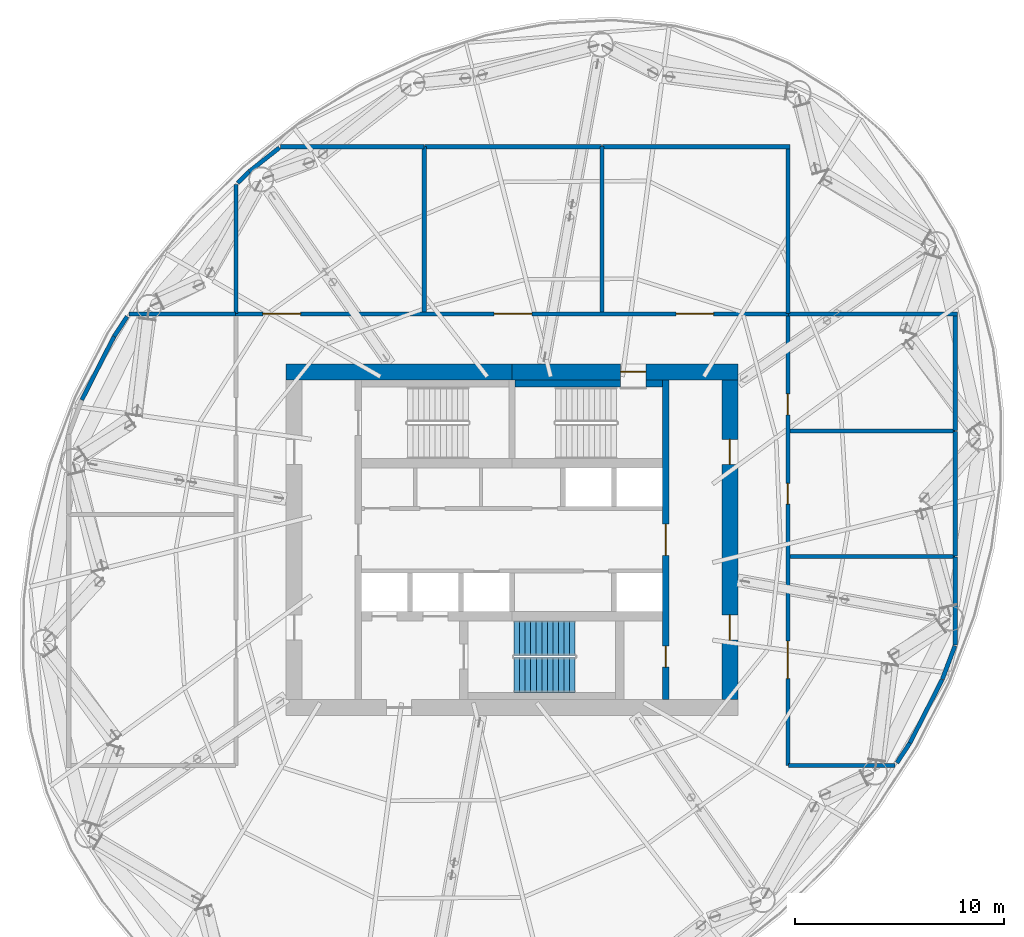
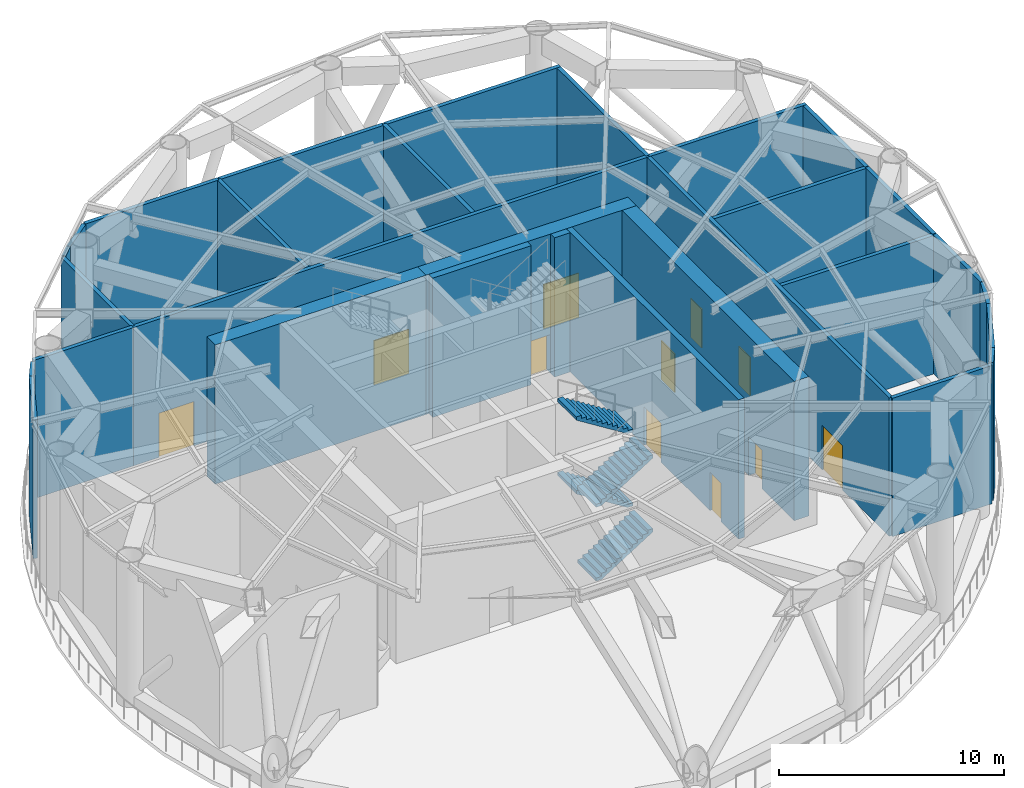
# One storey, part 6 of 15: 30 walls, 11 doors, 4 stair flights, 11 openings, 1 element without a shape of its own.
"""IFC4 building model written with IfcOpenShell, lengths in metres."""

from ifc_helpers import new_model, si_unit, direction, frame, frame_2d, origin, place, context, subcontext, project, spatial, polyline, rectangle, outline, extrude, material, layer, layer_set, type_object, element, fill, aggregate, save


model = new_model("IFC4")

# Units and contexts
model_context = context("Model", 3, precision=1e-05, world=origin(), true_north=direction((0.0, 1.0)))
body_context = subcontext(model_context, "Body", "Model", "MODEL_VIEW")
ifc_project = project(units=[si_unit("LENGTHUNIT", "METRE"), si_unit("AREAUNIT", "SQUARE_METRE"), si_unit("VOLUMEUNIT", "CUBIC_METRE"), si_unit("PLANEANGLEUNIT", "RADIAN"), si_unit("MASSUNIT", "GRAM", prefix="KILO")], contexts=[model_context])

# Site, building, storey
site_placement = place(None, origin())
site = spatial("IfcSite", under=ifc_project, at=site_placement, CompositionType="ELEMENT")
building_placement = place(site_placement, origin())
building = spatial("IfcBuilding", under=site, at=building_placement, Name="Vermilion Reach Broadcast Tower", CompositionType="ELEMENT")
storey_placement = place(building_placement, frame((0.0, 0.0, 246.10009765625)))
storey = spatial("IfcBuildingStorey", under=building, at=storey_placement, Name="L61", CompositionType="ELEMENT", Elevation=246.10009765625)

# Wall, openings, doors
ifc_material_1 = material(Name="Concrete C60", Category="concrete")
ifc_layer_1 = layer(ifc_material_1, 0.300048828125)
ifc_layer_set_1 = layer_set([ifc_layer_1], Name="Core inner wall 300 mm Concrete C60")
wall_type_1 = type_object("IfcWallType", Name="Core inner wall 300 mm Concrete C60", PredefinedType="SHEAR", material=ifc_layer_set_1)
wall_1_placement = place(storey_placement, frame((1.35009765625, -7.64990234375, 0.0), z_axis=(0.0, 0.0, 1.0), x_axis=(0.0, 1.0, 0.0)))
wall_1 = element("IfcWall", 1, at=wall_1_placement, inside=storey, type_object=wall_type_1, Name="L61 core wall ewE", PredefinedType="SHEAR", context=body_context, shape_type="SweptSolid", body=[
    extrude(rectangle(XDim=15.2998046875, YDim=0.300048828125, at=frame_2d((7.64990234375, 0.0))), origin(), (0.0, 0.0, 1.0), 7.5498046875),
])
opening_1_placement = place(wall_1_placement, frame((1.56005859375, 0.0, 0.0)))
opening_1 = element("IfcOpeningElement", 2, at=opening_1_placement, cuts=wall_1, Name="Opening D05", PredefinedType="OPENING", context=body_context, shape_type="SweptSolid", body=[
    extrude(rectangle(XDim=1.0, YDim=2.10009765625, at=frame_2d((0.5, 1.050048828125))), frame((0.0, 0.159912109375, 0.0), z_axis=(0.0, -1.0, 0.0), x_axis=(1.0, 0.0, 0.0)), (0.0, 0.0, 1.0), 0.320068359375),
])
opening_2_placement = place(wall_1_placement, frame((6.89990234375, 0.0, 0.0)))
opening_2 = element("IfcOpeningElement", 3, at=opening_2_placement, cuts=wall_1, Name="Opening D04", PredefinedType="OPENING", context=body_context, shape_type="SweptSolid", body=[
    extrude(rectangle(XDim=1.5, YDim=2.10009765625, at=frame_2d((0.75, 1.050048828125))), frame((0.0, 0.159912109375, 0.0), z_axis=(0.0, -1.0, 0.0), x_axis=(1.0, 0.0, 0.0)), (0.0, 0.0, 1.0), 0.320068359375),
])
ifc_material_2 = material(Name="Painted steel fire door", Category="steel")
door_type_1 = type_object("IfcDoorType", Name="Lift lobby door 1500 x 2100", OperationType="DOUBLE_DOOR_SINGLE_SWING", PredefinedType="NOTDEFINED", material=ifc_material_2)
door_1_placement = place(opening_2_placement, origin())
door_1 = element("IfcDoor", 4, at=door_1_placement, inside=storey, type_object=door_type_1, Name="L61 band door BE", OperationType="DOUBLE_DOOR_SINGLE_SWING", OverallHeight=2.10009765625, OverallWidth=1.5, PredefinedType="NOTDEFINED", context=body_context, shape_type="SweptSolid", body=[
    extrude(rectangle(XDim=1.5, YDim=2.10009765625, at=frame_2d((0.75, 1.050048828125))), frame((0.0, 0.02490234375, 0.0), z_axis=(0.0, -1.0, 0.0), x_axis=(1.0, 0.0, 0.0)), (0.0, 0.0, 1.0), 0.050048828125),
])
fill(opening_2, door_1)
ifc_material_3 = material(Name="Timber door", Category="wood")
door_type_2 = type_object("IfcDoorType", Name="Room door 1000 x 2100", OperationType="NOTDEFINED", PredefinedType="NOTDEFINED", material=ifc_material_3)
door_2_placement = place(opening_1_placement, origin())
door_2 = element("IfcDoor", 5, at=door_2_placement, inside=storey, type_object=door_type_2, Name="L61 door SER", OperationType="SINGLE_SWING_LEFT", OverallHeight=2.10009765625, OverallWidth=1.0, PredefinedType="NOTDEFINED", context=body_context, shape_type="SweptSolid", body=[
    extrude(rectangle(XDim=1.0, YDim=2.10009765625, at=frame_2d((0.5, 1.050048828125))), frame((0.0, 0.02490234375, 0.0), z_axis=(0.0, -1.0, 0.0), x_axis=(1.0, 0.0, 0.0)), (0.0, 0.0, 1.0), 0.050048828125),
])
fill(opening_1, door_2)

# Wall, opening, door
ifc_material_4 = material(Name="Concrete C60", Category="concrete")
ifc_layer_2 = layer(ifc_material_4, 0.75)
ifc_layer_set_2 = layer_set([ifc_layer_2], Name="Core outer wall 750 mm Concrete C60")
wall_type_2 = type_object("IfcWallType", Name="Core outer wall 750 mm Concrete C60", PredefinedType="SHEAR", material=ifc_layer_set_2)
wall_2_placement = place(storey_placement, frame((4.800048828125, 8.02490234375, 0.0), z_axis=(0.0, 0.0, 1.0), x_axis=(-1.0, 0.0, 0.0)))
wall_2 = element("IfcWall", 6, at=wall_2_placement, inside=storey, type_object=wall_type_2, Name="L61 core wall onE", PredefinedType="SHEAR", context=body_context, shape_type="SweptSolid", body=[
    extrude(rectangle(XDim=10.800048828125, YDim=0.75, at=frame_2d((5.39990234375, 0.0))), origin(), (0.0, 0.0, 1.0), 7.5498046875),
])
opening_3_placement = place(wall_2_placement, frame((4.39990234375, 0.0, 0.0)))
opening_3 = element("IfcOpeningElement", 7, at=opening_3_placement, cuts=wall_2, Name="Opening D01", PredefinedType="OPENING", context=body_context, shape_type="SweptSolid", body=[
    extrude(rectangle(XDim=1.199951171875, YDim=2.10009765625, at=frame_2d((0.60009765625, 1.050048828125))), frame((0.0, 0.385009765625, 0.0), z_axis=(0.0, -1.0, 0.0), x_axis=(1.0, 0.0, 0.0)), (0.0, 0.0, 1.0), 0.77001953125),
])
ifc_material_5 = material(Name="Painted steel fire door", Category="steel")
door_type_3 = type_object("IfcDoorType", Name="Stair door 1200 x 2100", OperationType="DOUBLE_DOOR_SINGLE_SWING", PredefinedType="NOTDEFINED", material=ifc_material_5)
door_3_placement = place(opening_3_placement, origin())
door_3 = element("IfcDoor", 8, at=door_3_placement, inside=storey, type_object=door_type_3, Name="L61 stair door ST2", OperationType="DOUBLE_DOOR_SINGLE_SWING", OverallHeight=2.10009765625, OverallWidth=1.199951171875, PredefinedType="NOTDEFINED", context=body_context, shape_type="SweptSolid", body=[
    extrude(rectangle(XDim=1.199951171875, YDim=2.10009765625, at=frame_2d((0.60009765625, 1.050048828125))), frame((0.0, 0.02490234375, 0.0), z_axis=(0.0, -1.0, 0.0), x_axis=(1.0, 0.0, 0.0)), (0.0, 0.0, 1.0), 0.050048828125),
])
fill(opening_3, door_3)

# Wall
wall_3_placement = place(storey_placement, frame((-6.0, 8.02490234375, 0.0), z_axis=(0.0, 0.0, 1.0), x_axis=(-1.0, 0.0, 0.0)))
element("IfcWall", 9, at=wall_3_placement, inside=storey, type_object=wall_type_2, Name="L61 core wall onW", PredefinedType="SHEAR", context=body_context, shape_type="SweptSolid", body=[
    extrude(rectangle(XDim=10.800048828125, YDim=0.75, at=frame_2d((5.39990234375, 0.0))), origin(), (0.0, 0.0, 1.0), 7.5498046875),
])

# Wall, openings, doors
wall_4_placement = place(storey_placement, frame((4.425048828125, -7.64990234375, 0.0), z_axis=(0.0, 0.0, 1.0), x_axis=(0.0, 1.0, 0.0)))
wall_4 = element("IfcWall", 10, at=wall_4_placement, inside=storey, type_object=wall_type_2, Name="L61 core wall oe", PredefinedType="SHEAR", context=body_context, shape_type="SweptSolid", body=[
    extrude(rectangle(XDim=15.2998046875, YDim=0.75, at=frame_2d((7.64990234375, 0.0))), origin(), (0.0, 0.0, 1.0), 7.5498046875),
])
opening_4_placement = place(wall_4_placement, frame((2.85009765625, 0.0, 0.0)))
opening_4 = element("IfcOpeningElement", 11, at=opening_4_placement, cuts=wall_4, Name="Opening D03", PredefinedType="OPENING", context=body_context, shape_type="SweptSolid", body=[
    extrude(rectangle(XDim=1.199951171875, YDim=2.10009765625, at=frame_2d((0.60009765625, 1.050048828125))), frame((0.0, 0.385009765625, 0.0), z_axis=(0.0, -1.0, 0.0), x_axis=(1.0, 0.0, 0.0)), (0.0, 0.0, 1.0), 0.77001953125),
])
opening_5_placement = place(wall_4_placement, frame((11.25, 0.0, 0.0)))
opening_5 = element("IfcOpeningElement", 12, at=opening_5_placement, cuts=wall_4, Name="Opening D03", PredefinedType="OPENING", context=body_context, shape_type="SweptSolid", body=[
    extrude(rectangle(XDim=1.199951171875, YDim=2.10009765625, at=frame_2d((0.60009765625, 1.050048828125))), frame((0.0, 0.385009765625, 0.0), z_axis=(0.0, -1.0, 0.0), x_axis=(1.0, 0.0, 0.0)), (0.0, 0.0, 1.0), 0.77001953125),
])
ifc_material_6 = material(Name="Painted steel fire door", Category="steel")
door_type_4 = type_object("IfcDoorType", Name="Core lobby door 1200 x 2100", OperationType="DOUBLE_DOOR_SINGLE_SWING", PredefinedType="NOTDEFINED", material=ifc_material_6)
door_4_placement = place(opening_4_placement, origin())
door_4 = element("IfcDoor", 13, at=door_4_placement, inside=storey, type_object=door_type_4, Name="L61 slot door E0", OperationType="DOUBLE_DOOR_SINGLE_SWING", OverallHeight=2.10009765625, OverallWidth=1.199951171875, PredefinedType="NOTDEFINED", context=body_context, shape_type="SweptSolid", body=[
    extrude(rectangle(XDim=1.199951171875, YDim=2.10009765625, at=frame_2d((0.60009765625, 1.050048828125))), frame((0.0, 0.02490234375, 0.0), z_axis=(0.0, -1.0, 0.0), x_axis=(1.0, 0.0, 0.0)), (0.0, 0.0, 1.0), 0.050048828125),
])
fill(opening_4, door_4)
door_5_placement = place(opening_5_placement, origin())
door_5 = element("IfcDoor", 14, at=door_5_placement, inside=storey, type_object=door_type_4, Name="L61 slot door E1", OperationType="DOUBLE_DOOR_SINGLE_SWING", OverallHeight=2.10009765625, OverallWidth=1.199951171875, PredefinedType="NOTDEFINED", context=body_context, shape_type="SweptSolid", body=[
    extrude(rectangle(XDim=1.199951171875, YDim=2.10009765625, at=frame_2d((0.60009765625, 1.050048828125))), frame((0.0, 0.02490234375, 0.0), z_axis=(0.0, -1.0, 0.0), x_axis=(1.0, 0.0, 0.0)), (0.0, 0.0, 1.0), 0.050048828125),
])
fill(opening_5, door_5)

# Walls
ifc_material_7 = material(Name="Concrete C60", Category="concrete")
ifc_layer_3 = layer(ifc_material_7, 0.35009765625)
ifc_layer_set_3 = layer_set([ifc_layer_3], Name="Core stair wall 350 mm Concrete C60")
wall_type_3 = type_object("IfcWallType", Name="Core stair wall 350 mm Concrete C60", PredefinedType="SHEAR", material=ifc_layer_set_3)
wall_5_placement = place(storey_placement, frame((-5.85009765625, 7.47509765625, 0.0), z_axis=(0.0, 0.0, 1.0), x_axis=(1.0, 0.0, 0.0)))
element("IfcWall", 15, at=wall_5_placement, inside=storey, type_object=wall_type_3, Name="L61 core wall l2a", PredefinedType="SHEAR", context=body_context, shape_type="SweptSolid", body=[
    extrude(rectangle(XDim=5.050048828125, YDim=0.35009765625, at=frame_2d((2.52490234375, 0.0))), origin(), (0.0, 0.0, 1.0), 7.5498046875),
])
wall_6_placement = place(storey_placement, frame((0.39990234375, 7.47509765625, 0.0), z_axis=(0.0, 0.0, 1.0), x_axis=(1.0, 0.0, 0.0)))
element("IfcWall", 16, at=wall_6_placement, inside=storey, type_object=wall_type_3, Name="L61 core wall l2b", PredefinedType="SHEAR", context=body_context, shape_type="SweptSolid", body=[
    extrude(rectangle(XDim=0.800048828125, YDim=0.35009765625, at=frame_2d((0.39990234375, 0.0))), origin(), (0.0, 0.0, 1.0), 7.5498046875),
])

# Wall, openings, doors
ifc_material_8 = material(Name="Gypsum board shaft wall")
ifc_layer_4 = layer(ifc_material_8, 0.199951171875)
ifc_layer_set_4 = layer_set([ifc_layer_4], Name="Plant room wall 200")
wall_type_4 = type_object("IfcWallType", Name="Plant room wall 200", PredefinedType="PARTITIONING", material=ifc_layer_set_4)
wall_7_placement = place(storey_placement, frame((7.199951171875, -10.800048828125, 0.0), z_axis=(0.0, 0.0, 1.0), x_axis=(0.0, 1.0, 0.0)))
wall_7 = element("IfcWall", 17, at=wall_7_placement, inside=storey, type_object=wall_type_4, Name="sp.wall.L61.000", PredefinedType="PARTITIONING", context=body_context, shape_type="SweptSolid", body=[
    extrude(rectangle(XDim=21.5, YDim=0.199951171875, at=frame_2d((10.75, 0.0))), origin(), (0.0, 0.0, 1.0), 7.5),
])
opening_6_placement = place(wall_7_placement, frame((4.150146484375, 0.0, 0.0)))
opening_6 = element("IfcOpeningElement", 18, at=opening_6_placement, cuts=wall_7, Name="Opening D53", PredefinedType="OPENING", context=body_context, shape_type="SweptSolid", body=[
    extrude(rectangle(XDim=1.800048828125, YDim=2.39990234375, at=frame_2d((0.89990234375, 1.199951171875))), frame((0.0, 0.10986328125, 0.0), z_axis=(0.0, -1.0, 0.0), x_axis=(1.0, 0.0, 0.0)), (0.0, 0.0, 1.0), 0.219970703125),
])
opening_7_placement = place(wall_7_placement, frame((12.5, 0.0, 0.0)))
opening_7 = element("IfcOpeningElement", 19, at=opening_7_placement, cuts=wall_7, Name="Opening D54", PredefinedType="OPENING", context=body_context, shape_type="SweptSolid", body=[
    extrude(rectangle(XDim=1.0, YDim=2.10009765625, at=frame_2d((0.5, 1.050048828125))), frame((0.0, 0.10986328125, 0.0), z_axis=(0.0, -1.0, 0.0), x_axis=(1.0, 0.0, 0.0)), (0.0, 0.0, 1.0), 0.219970703125),
])
opening_8_placement = place(wall_7_placement, frame((16.7763671875, 0.0, 0.0)))
opening_8 = element("IfcOpeningElement", 20, at=opening_8_placement, cuts=wall_7, Name="Opening D54", PredefinedType="OPENING", context=body_context, shape_type="SweptSolid", body=[
    extrude(rectangle(XDim=1.0, YDim=2.10009765625, at=frame_2d((0.5, 1.050048828125))), frame((0.0, 0.10986328125, 0.0), z_axis=(0.0, -1.0, 0.0), x_axis=(1.0, 0.0, 0.0)), (0.0, 0.0, 1.0), 0.219970703125),
])
ifc_material_9 = material(Name="Timber and steel door set", Category="steel")
door_type_5 = type_object("IfcDoorType", Name="Fire door 1000x2100", OperationType="NOTDEFINED", PredefinedType="DOOR", material=ifc_material_9)
door_6_placement = place(opening_7_placement, origin())
door_6 = element("IfcDoor", 21, at=door_6_placement, inside=storey, type_object=door_type_5, Name="sp.door.L61.001", OperationType="SINGLE_SWING_RIGHT", OverallHeight=2.10009765625, OverallWidth=1.0, PredefinedType="DOOR", context=body_context, shape_type="SweptSolid", body=[
    extrude(rectangle(XDim=1.0, YDim=2.10009765625, at=frame_2d((0.5, 1.050048828125))), frame((0.0, 0.02490234375, 0.0), z_axis=(0.0, -1.0, 0.0), x_axis=(1.0, 0.0, 0.0)), (0.0, 0.0, 1.0), 0.050048828125),
])
fill(opening_7, door_6)
door_7_placement = place(opening_8_placement, origin())
door_7 = element("IfcDoor", 22, at=door_7_placement, inside=storey, type_object=door_type_5, Name="sp.door.L61.002", OperationType="SINGLE_SWING_LEFT", OverallHeight=2.10009765625, OverallWidth=1.0, PredefinedType="DOOR", context=body_context, shape_type="SweptSolid", body=[
    extrude(rectangle(XDim=1.0, YDim=2.10009765625, at=frame_2d((0.5, 1.050048828125))), frame((0.0, 0.02490234375, 0.0), z_axis=(0.0, -1.0, 0.0), x_axis=(1.0, 0.0, 0.0)), (0.0, 0.0, 1.0), 0.050048828125),
])
fill(opening_8, door_7)
ifc_material_10 = material(Name="Timber and steel door set", Category="steel")
door_type_6 = type_object("IfcDoorType", Name="Plant double door 1800x2400", OperationType="NOTDEFINED", PredefinedType="DOOR", material=ifc_material_10)
door_8_placement = place(opening_6_placement, origin())
door_8 = element("IfcDoor", 23, at=door_8_placement, inside=storey, type_object=door_type_6, Name="sp.door.L61.000", OperationType="DOUBLE_DOOR_SINGLE_SWING", OverallHeight=2.39990234375, OverallWidth=1.800048828125, PredefinedType="DOOR", context=body_context, shape_type="SweptSolid", body=[
    extrude(rectangle(XDim=1.800048828125, YDim=2.39990234375, at=frame_2d((0.89990234375, 1.199951171875))), frame((0.0, 0.02490234375, 0.0), z_axis=(0.0, -1.0, 0.0), x_axis=(1.0, 0.0, 0.0)), (0.0, 0.0, 1.0), 0.050048828125),
])
fill(opening_6, door_8)

# Walls
wall_8_placement = place(storey_placement, frame((7.199951171875, 10.820068359375, 0.0), z_axis=(0.0, 0.0, 1.0), x_axis=(0.0, 1.0, 0.0)))
element("IfcWall", 24, at=wall_8_placement, inside=storey, type_object=wall_type_4, Name="sp.wall.L61.001", PredefinedType="PARTITIONING", context=body_context, shape_type="SweptSolid", body=[
    extrude(rectangle(XDim=7.8798828125, YDim=0.199951171875, at=frame_2d((3.93994140625, 0.0))), origin(), (0.0, 0.0, 1.0), 7.5),
])
wall_9_placement = place(storey_placement, frame((-19.199951171875, 10.820068359375, 0.0), z_axis=(0.0, 0.0, 1.0), x_axis=(0.0, 1.0, 0.0)))
element("IfcWall", 25, at=wall_9_placement, inside=storey, type_object=wall_type_4, Name="sp.wall.L61.003", PredefinedType="PARTITIONING", context=body_context, shape_type="SweptSolid", body=[
    extrude(rectangle(XDim=6.173583984375, YDim=0.199951171875, at=frame_2d((3.0869140625, 0.0))), origin(), (0.0, 0.0, 1.0), 7.5),
])
wall_10_placement = place(storey_placement, frame((-24.328369140625, 10.800048828125, 0.0), z_axis=(0.0, 0.0, 1.0), x_axis=(1.0, 0.0, 0.0)))
element("IfcWall", 26, at=wall_10_placement, inside=storey, type_object=wall_type_4, Name="sp.wall.L61.004", PredefinedType="PARTITIONING", context=body_context, shape_type="SweptSolid", body=[
    extrude(rectangle(XDim=5.1083984375, YDim=0.199951171875, at=frame_2d((2.55419921875, 0.0))), origin(), (0.0, 0.0, 1.0), 7.5),
])

# Wall, openings, doors
wall_11_placement = place(storey_placement, frame((7.300048828125, 10.800048828125, 0.0), z_axis=(0.0, 0.0, 1.0), x_axis=(-1.0, 0.0, 0.0)))
wall_11 = element("IfcWall", 27, at=wall_11_placement, inside=storey, type_object=wall_type_4, Name="sp.wall.L61.005", PredefinedType="PARTITIONING", context=body_context, shape_type="SweptSolid", body=[
    extrude(rectangle(XDim=26.60009765625, YDim=0.199951171875, at=frame_2d((13.300048828125, 0.0))), origin(), (0.0, 0.0, 1.0), 7.5),
])
opening_9_placement = place(wall_11_placement, frame((23.414306640625, 0.0, 0.0)))
opening_9 = element("IfcOpeningElement", 28, at=opening_9_placement, cuts=wall_11, Name="Opening D53", PredefinedType="OPENING", context=body_context, shape_type="SweptSolid", body=[
    extrude(rectangle(XDim=1.800048828125, YDim=2.39990234375, at=frame_2d((0.89990234375, 1.199951171875))), frame((0.0, 0.10986328125, 0.0), z_axis=(0.0, -1.0, 0.0), x_axis=(1.0, 0.0, 0.0)), (0.0, 0.0, 1.0), 0.219970703125),
])
opening_10_placement = place(wall_11_placement, frame((12.35009765625, 0.0, 0.0)))
opening_10 = element("IfcOpeningElement", 29, at=opening_10_placement, cuts=wall_11, Name="Opening D53", PredefinedType="OPENING", context=body_context, shape_type="SweptSolid", body=[
    extrude(rectangle(XDim=1.800048828125, YDim=2.39990234375, at=frame_2d((0.89990234375, 1.199951171875))), frame((0.0, 0.10986328125, 0.0), z_axis=(0.0, -1.0, 0.0), x_axis=(1.0, 0.0, 0.0)), (0.0, 0.0, 1.0), 0.219970703125),
])
opening_11_placement = place(wall_11_placement, frame((3.650146484375, 0.0, 0.0)))
opening_11 = element("IfcOpeningElement", 30, at=opening_11_placement, cuts=wall_11, Name="Opening D53", PredefinedType="OPENING", context=body_context, shape_type="SweptSolid", body=[
    extrude(rectangle(XDim=1.800048828125, YDim=2.39990234375, at=frame_2d((0.89990234375, 1.199951171875))), frame((0.0, 0.10986328125, 0.0), z_axis=(0.0, -1.0, 0.0), x_axis=(1.0, 0.0, 0.0)), (0.0, 0.0, 1.0), 0.219970703125),
])
door_9_placement = place(opening_9_placement, origin())
door_9 = element("IfcDoor", 31, at=door_9_placement, inside=storey, type_object=door_type_6, Name="sp.door.L61.005", OperationType="DOUBLE_DOOR_SINGLE_SWING", OverallHeight=2.39990234375, OverallWidth=1.800048828125, PredefinedType="DOOR", context=body_context, shape_type="SweptSolid", body=[
    extrude(rectangle(XDim=1.800048828125, YDim=2.39990234375, at=frame_2d((0.89990234375, 1.199951171875))), frame((0.0, 0.02490234375, 0.0), z_axis=(0.0, -1.0, 0.0), x_axis=(1.0, 0.0, 0.0)), (0.0, 0.0, 1.0), 0.050048828125),
])
fill(opening_9, door_9)
door_10_placement = place(opening_10_placement, origin())
door_10 = element("IfcDoor", 32, at=door_10_placement, inside=storey, type_object=door_type_6, Name="sp.door.L61.006", OperationType="DOUBLE_DOOR_SINGLE_SWING", OverallHeight=2.39990234375, OverallWidth=1.800048828125, PredefinedType="DOOR", context=body_context, shape_type="SweptSolid", body=[
    extrude(rectangle(XDim=1.800048828125, YDim=2.39990234375, at=frame_2d((0.89990234375, 1.199951171875))), frame((0.0, 0.02490234375, 0.0), z_axis=(0.0, -1.0, 0.0), x_axis=(1.0, 0.0, 0.0)), (0.0, 0.0, 1.0), 0.050048828125),
])
fill(opening_10, door_10)
door_11_placement = place(opening_11_placement, origin())
door_11 = element("IfcDoor", 33, at=door_11_placement, inside=storey, type_object=door_type_6, Name="sp.door.L61.007", OperationType="DOUBLE_DOOR_SINGLE_SWING", OverallHeight=2.39990234375, OverallWidth=1.800048828125, PredefinedType="DOOR", context=body_context, shape_type="SweptSolid", body=[
    extrude(rectangle(XDim=1.800048828125, YDim=2.39990234375, at=frame_2d((0.89990234375, 1.199951171875))), frame((0.0, 0.02490234375, 0.0), z_axis=(0.0, -1.0, 0.0), x_axis=(1.0, 0.0, 0.0)), (0.0, 0.0, 1.0), 0.050048828125),
])
fill(opening_11, door_11)

# Walls
wall_12_placement = place(storey_placement, frame((7.219970703125, 10.800048828125, 0.0), z_axis=(0.0, 0.0, 1.0), x_axis=(1.0, 0.0, 0.0)))
element("IfcWall", 34, at=wall_12_placement, inside=storey, type_object=wall_type_4, Name="sp.wall.L61.006", PredefinedType="PARTITIONING", context=body_context, shape_type="SweptSolid", body=[
    extrude(rectangle(XDim=8.080078125, YDim=0.199951171875, at=frame_2d((4.0400390625, 0.0))), origin(), (0.0, 0.0, 1.0), 7.5),
])
for number, where, z_axis, x_axis, name in (
    (35, (7.300048828125, -0.800048828125, 0.0), (0.0, 0.0, 1.0), (1.0, 0.0, 0.0), "sp.wall.L61.007"),
    (36, (7.300048828125, 5.199951171875, 0.0), (0.0, 0.0, 1.0), (1.0, 0.0, 0.0), "sp.wall.L61.008"),
):
    element("IfcWall", number, at=place(storey_placement, frame(where, z_axis=z_axis, x_axis=x_axis)), inside=storey, type_object=wall_type_4, Name=name, PredefinedType="PARTITIONING", context=body_context, shape_type="SweptSolid", body=[
        extrude(rectangle(XDim=7.89990234375, YDim=0.199951171875, at=frame_2d((3.949951171875, 0.0))), origin(), (0.0, 0.0, 1.0), 7.5),
    ])
for number, where, z_axis, x_axis, name in (
    (37, (-10.199951171875, 10.89990234375, 0.0), (0.0, 0.0, 1.0), (0.0, 1.0, 0.0), "sp.wall.L61.010"),
    (38, (-1.699951171875, 10.89990234375, 0.0), (0.0, 0.0, 1.0), (0.0, 1.0, 0.0), "sp.wall.L61.011"),
):
    element("IfcWall", number, at=place(storey_placement, frame(where, z_axis=z_axis, x_axis=x_axis)), inside=storey, type_object=wall_type_4, Name=name, PredefinedType="PARTITIONING", context=body_context, shape_type="SweptSolid", body=[
        extrude(rectangle(XDim=7.900146484375, YDim=0.199951171875, at=frame_2d((3.9501953125, 0.0))), origin(), (0.0, 0.0, 1.0), 7.5),
    ])
wall_13_placement = place(storey_placement, frame((15.199951171875, -5.04248046875, 0.0), z_axis=(0.0, 0.0, 1.0), x_axis=(0.0, 1.0, 0.0)))
element("IfcWall", 39, at=wall_13_placement, inside=storey, type_object=wall_type_4, Name="sp.wall.L61.012", PredefinedType="PARTITIONING", context=body_context, shape_type="SweptSolid", body=[
    extrude(rectangle(XDim=4.222412109375, YDim=0.199951171875, at=frame_2d((2.111328125, 0.0))), origin(), (0.0, 0.0, 1.0), 7.5),
])
wall_14_placement = place(storey_placement, frame((15.199951171875, -0.780029296875, 0.0), z_axis=(0.0, 0.0, 1.0), x_axis=(0.0, 1.0, 0.0)))
element("IfcWall", 40, at=wall_14_placement, inside=storey, type_object=wall_type_4, Name="sp.wall.L61.013", PredefinedType="PARTITIONING", context=body_context, shape_type="SweptSolid", body=[
    extrude(rectangle(XDim=5.9599609375, YDim=0.199951171875, at=frame_2d((2.97998046875, 0.0))), origin(), (0.0, 0.0, 1.0), 7.5),
])
wall_15_placement = place(storey_placement, frame((15.199951171875, 5.219970703125, 0.0), z_axis=(0.0, 0.0, 1.0), x_axis=(0.0, 1.0, 0.0)))
element("IfcWall", 41, at=wall_15_placement, inside=storey, type_object=wall_type_4, Name="sp.wall.L61.014", PredefinedType="PARTITIONING", context=body_context, shape_type="SweptSolid", body=[
    extrude(rectangle(XDim=5.47998046875, YDim=0.199951171875, at=frame_2d((2.739990234375, 0.0))), origin(), (0.0, 0.0, 1.0), 7.5),
])
wall_16_placement = place(storey_placement, frame((14.582763671875, -6.676513671875, 0.0), z_axis=(0.0, 0.0, 1.0), x_axis=(0.353439463302, 0.935457399233, 0.0)))
element("IfcWall", 42, at=wall_16_placement, inside=storey, type_object=wall_type_4, Name="sp.wall.L61.015", PredefinedType="PARTITIONING", context=body_context, shape_type="SweptSolid", body=[
    extrude(rectangle(XDim=1.708984375, YDim=0.199951171875, at=frame_2d((0.8544921875, 0.0))), origin(), (0.0, 0.0, 1.0), 7.5),
])
wall_17_placement = place(storey_placement, frame((13.035888671875, -9.717529296875, 0.0), z_axis=(0.0, 0.0, 1.0), x_axis=(0.453691333143, 0.89115889393, 0.0)))
element("IfcWall", 43, at=wall_17_placement, inside=storey, type_object=wall_type_4, Name="sp.wall.L61.016", PredefinedType="PARTITIONING", context=body_context, shape_type="SweptSolid", body=[
    extrude(rectangle(XDim=3.40087890625, YDim=0.199951171875, at=frame_2d((1.700439453125, 0.0))), origin(), (0.0, 0.0, 1.0), 7.5),
])
wall_18_placement = place(storey_placement, frame((12.412109375, -10.671875, 0.0), z_axis=(0.0, 0.0, 1.0), x_axis=(0.546993030609, 0.837137159888, 0.0)))
element("IfcWall", 44, at=wall_18_placement, inside=storey, type_object=wall_type_4, Name="sp.wall.L61.017", PredefinedType="PARTITIONING", context=body_context, shape_type="SweptSolid", body=[
    extrude(rectangle(XDim=1.129150390625, YDim=0.199951171875, at=frame_2d((0.564453125, 0.0))), origin(), (0.0, 0.0, 1.0), 7.5),
])
wall_19_placement = place(storey_placement, frame((7.219970703125, -10.800048828125, 0.0), z_axis=(0.0, 0.0, 1.0), x_axis=(1.0, 0.0, 0.0)))
element("IfcWall", 45, at=wall_19_placement, inside=storey, type_object=wall_type_4, Name="sp.wall.L61.019", PredefinedType="PARTITIONING", context=body_context, shape_type="SweptSolid", body=[
    extrude(rectangle(XDim=5.1083984375, YDim=0.199951171875, at=frame_2d((2.55419921875, 0.0))), origin(), (0.0, 0.0, 1.0), 7.5),
])
wall_20_placement = place(storey_placement, frame((-26.578857421875, 6.686767578125, 0.0), z_axis=(0.0, 0.0, 1.0), x_axis=(0.453691333143, 0.89115889393, 0.0)))
element("IfcWall", 46, at=wall_20_placement, inside=storey, type_object=wall_type_4, Name="sp.wall.L61.023", PredefinedType="PARTITIONING", context=body_context, shape_type="SweptSolid", body=[
    extrude(rectangle(XDim=3.40087890625, YDim=0.199951171875, at=frame_2d((1.700439453125, 0.0))), origin(), (0.0, 0.0, 1.0), 7.5),
])
wall_21_placement = place(storey_placement, frame((-25.02978515625, 9.7265625, 0.0), z_axis=(0.0, 0.0, 1.0), x_axis=(0.546993030609, 0.837137159888, 0.0)))
element("IfcWall", 47, at=wall_21_placement, inside=storey, type_object=wall_type_4, Name="sp.wall.L61.024", PredefinedType="PARTITIONING", context=body_context, shape_type="SweptSolid", body=[
    extrude(rectangle(XDim=1.129150390625, YDim=0.199951171875, at=frame_2d((0.564453125, 0.0))), origin(), (0.0, 0.0, 1.0), 7.5),
])
wall_22_placement = place(storey_placement, frame((-19.12744140625, 17.06494140625, 0.0), z_axis=(0.0, 0.0, 1.0), x_axis=(0.713118996521, 0.701043006384, 0.0)))
element("IfcWall", 48, at=wall_22_placement, inside=storey, type_object=wall_type_4, Name="sp.wall.L61.025", PredefinedType="PARTITIONING", context=body_context, shape_type="SweptSolid", body=[
    extrude(rectangle(XDim=0.768310546875, YDim=0.199951171875, at=frame_2d((0.38427734375, 0.0))), origin(), (0.0, 0.0, 1.0), 7.5),
])
wall_23_placement = place(storey_placement, frame((-18.57177734375, 17.611083984375, 0.0), z_axis=(0.0, 0.0, 1.0), x_axis=(0.785678970443, 0.618634427916, 0.0)))
element("IfcWall", 49, at=wall_23_placement, inside=storey, type_object=wall_type_4, Name="sp.wall.L61.026", PredefinedType="PARTITIONING", context=body_context, shape_type="SweptSolid", body=[
    extrude(rectangle(XDim=1.843017578125, YDim=0.199951171875, at=frame_2d((0.92138671875, 0.0))), origin(), (0.0, 0.0, 1.0), 7.5),
])
wall_24_placement = place(storey_placement, frame((-17.061767578125, 18.800048828125, 0.0), z_axis=(0.0, 0.0, 1.0), x_axis=(1.0, 0.0, 0.0)))
element("IfcWall", 50, at=wall_24_placement, inside=storey, type_object=wall_type_4, Name="sp.wall.L61.027", PredefinedType="PARTITIONING", context=body_context, shape_type="SweptSolid", body=[
    extrude(rectangle(XDim=6.841796875, YDim=0.199951171875, at=frame_2d((3.4208984375, 0.0))), origin(), (0.0, 0.0, 1.0), 7.5),
])
wall_25_placement = place(storey_placement, frame((-10.179931640625, 18.800048828125, 0.0), z_axis=(0.0, 0.0, 1.0), x_axis=(1.0, 0.0, 0.0)))
element("IfcWall", 51, at=wall_25_placement, inside=storey, type_object=wall_type_4, Name="sp.wall.L61.028", PredefinedType="PARTITIONING", context=body_context, shape_type="SweptSolid", body=[
    extrude(rectangle(XDim=8.4599609375, YDim=0.199951171875, at=frame_2d((4.22998046875, 0.0))), origin(), (0.0, 0.0, 1.0), 7.5),
])
wall_26_placement = place(storey_placement, frame((-1.679931640625, 18.800048828125, 0.0), z_axis=(0.0, 0.0, 1.0), x_axis=(1.0, 0.0, 0.0)))
element("IfcWall", 52, at=wall_26_placement, inside=storey, type_object=wall_type_4, Name="sp.wall.L61.029", PredefinedType="PARTITIONING", context=body_context, shape_type="SweptSolid", body=[
    extrude(rectangle(XDim=8.97998046875, YDim=0.199951171875, at=frame_2d((4.489990234375, 0.0))), origin(), (0.0, 0.0, 1.0), 7.5),
])

# Stair, stair flights
ifc_material_11 = material(Name="Concrete C40", Category="concrete")
stair_type = type_object("IfcStairType", Name="Exit stair RC 48 risers 167 mm", PredefinedType="HALF_TURN_STAIR", material=ifc_material_11)
stair_placement = place(storey_placement, origin())
stair = element("IfcStair", 53, at=stair_placement, inside=storey, type_object=stair_type, Name="L61 Exit stair ST3", PredefinedType="HALF_TURN_STAIR")
ifc_material_12 = material(Name="Concrete C40", Category="concrete")
stair_flight_type = type_object("IfcStairFlightType", Name="Exit stair flight RC 12 risers", PredefinedType="STRAIGHT", material=ifc_material_12)
stair_flight_1_placement = place(storey_placement, frame((-5.89990234375, -6.469970703125, 0.0), z_axis=(0.0, 0.0, 1.0), x_axis=(1.0, 0.0, 0.0)))
stair_flight_1 = element("IfcStairFlight", 54, at=stair_flight_1_placement, type_object=stair_flight_type, Name="ST3 flight 1", NumberOfRisers=12, NumberOfTreads=11, PredefinedType="STRAIGHT", RiserHeight=0.166666667, TreadLength=0.265, context=body_context, shape_type="SweptSolid", body=[
    extrude(outline(polyline([(0.0, 0.0), (0.0, 0.166748046875), (0.264892578125, 0.166748046875), (0.264892578125, 0.333251953125), (0.530029296875, 0.333251953125), (0.530029296875, 0.5), (0.794921875, 0.5), (0.794921875, 0.666748046875), (1.06005859375, 0.666748046875), (1.06005859375, 0.833251953125), (1.324951171875, 0.833251953125), (1.324951171875, 1.0), (1.590087890625, 1.0), (1.590087890625, 1.166748046875), (1.85498046875, 1.166748046875), (1.85498046875, 1.333251953125), (2.1201171875, 1.333251953125), (2.1201171875, 1.5), (2.385009765625, 1.5), (2.385009765625, 1.666748046875), (2.64990234375, 1.666748046875), (2.64990234375, 1.833251953125), (2.9150390625, 1.833251953125), (2.9150390625, 2.0), (2.9150390625, 1.65625), (0.281494140625, 0.0), (0.0, 0.0)])), frame((0.0, 0.830078125, 0.0), z_axis=(0.0, -1.0, 0.0), x_axis=(1.0, 0.0, 0.0)), (0.0, 0.0, 1.0), 1.659912109375),
])
stair_flight_2_placement = place(storey_placement, frame((-2.985107421875, -4.7099609375, 2.0), z_axis=(0.0, 0.0, 1.0), x_axis=(-1.0, 0.0, 0.0)))
stair_flight_2 = element("IfcStairFlight", 55, at=stair_flight_2_placement, type_object=stair_flight_type, Name="ST3 flight 2", NumberOfRisers=12, NumberOfTreads=11, PredefinedType="STRAIGHT", RiserHeight=0.166666667, TreadLength=0.265, context=body_context, shape_type="SweptSolid", body=[
    extrude(outline(polyline([(0.0, 0.0), (0.0, 0.166748046875), (0.264892578125, 0.166748046875), (0.264892578125, 0.333251953125), (0.530029296875, 0.333251953125), (0.530029296875, 0.5), (0.794921875, 0.5), (0.794921875, 0.666748046875), (1.06005859375, 0.666748046875), (1.06005859375, 0.833251953125), (1.324951171875, 0.833251953125), (1.324951171875, 1.0), (1.590087890625, 1.0), (1.590087890625, 1.166748046875), (1.85498046875, 1.166748046875), (1.85498046875, 1.333251953125), (2.1201171875, 1.333251953125), (2.1201171875, 1.5), (2.385009765625, 1.5), (2.385009765625, 1.666748046875), (2.64990234375, 1.666748046875), (2.64990234375, 1.833251953125), (2.9150390625, 1.833251953125), (2.9150390625, 2.0), (2.9150390625, 1.65625), (0.281494140625, 0.0), (0.0, 0.0)])), frame((0.0, 0.830078125, 0.0), z_axis=(0.0, -1.0, 0.0), x_axis=(1.0, 0.0, 0.0)), (0.0, 0.0, 1.0), 1.659912109375),
])
stair_flight_3_placement = place(storey_placement, frame((-5.89990234375, -6.469970703125, 4.0), z_axis=(0.0, 0.0, 1.0), x_axis=(1.0, 0.0, 0.0)))
stair_flight_3 = element("IfcStairFlight", 56, at=stair_flight_3_placement, type_object=stair_flight_type, Name="ST3 flight 3", NumberOfRisers=12, NumberOfTreads=11, PredefinedType="STRAIGHT", RiserHeight=0.166666667, TreadLength=0.265, context=body_context, shape_type="SweptSolid", body=[
    extrude(outline(polyline([(0.0, 0.0), (0.0, 0.166748046875), (0.264892578125, 0.166748046875), (0.264892578125, 0.333251953125), (0.530029296875, 0.333251953125), (0.530029296875, 0.5), (0.794921875, 0.5), (0.794921875, 0.666748046875), (1.06005859375, 0.666748046875), (1.06005859375, 0.833251953125), (1.324951171875, 0.833251953125), (1.324951171875, 1.0), (1.590087890625, 1.0), (1.590087890625, 1.166748046875), (1.85498046875, 1.166748046875), (1.85498046875, 1.333251953125), (2.1201171875, 1.333251953125), (2.1201171875, 1.5), (2.385009765625, 1.5), (2.385009765625, 1.666748046875), (2.64990234375, 1.666748046875), (2.64990234375, 1.833251953125), (2.9150390625, 1.833251953125), (2.9150390625, 2.0), (2.9150390625, 1.65625), (0.281494140625, 0.0), (0.0, 0.0)])), frame((0.0, 0.830078125, 0.0), z_axis=(0.0, -1.0, 0.0), x_axis=(1.0, 0.0, 0.0)), (0.0, 0.0, 1.0), 1.659912109375),
])
stair_flight_4_placement = place(storey_placement, frame((-2.985107421875, -4.7099609375, 6.0), z_axis=(0.0, 0.0, 1.0), x_axis=(-1.0, 0.0, 0.0)))
stair_flight_4 = element("IfcStairFlight", 57, at=stair_flight_4_placement, type_object=stair_flight_type, Name="ST3 flight 4", NumberOfRisers=12, NumberOfTreads=11, PredefinedType="STRAIGHT", RiserHeight=0.166666667, TreadLength=0.265, context=body_context, shape_type="SweptSolid", body=[
    extrude(outline(polyline([(0.0, 0.0), (0.0, 0.166748046875), (0.264892578125, 0.166748046875), (0.264892578125, 0.333251953125), (0.530029296875, 0.333251953125), (0.530029296875, 0.5), (0.794921875, 0.5), (0.794921875, 0.666748046875), (1.06005859375, 0.666748046875), (1.06005859375, 0.833251953125), (1.324951171875, 0.833251953125), (1.324951171875, 1.0), (1.590087890625, 1.0), (1.590087890625, 1.166748046875), (1.85498046875, 1.166748046875), (1.85498046875, 1.333251953125), (2.1201171875, 1.333251953125), (2.1201171875, 1.5), (2.385009765625, 1.5), (2.385009765625, 1.666748046875), (2.64990234375, 1.666748046875), (2.64990234375, 1.833251953125), (2.9150390625, 1.833251953125), (2.9150390625, 2.0), (2.9150390625, 1.65625), (0.281494140625, 0.0), (0.0, 0.0)])), frame((0.0, 0.830078125, 0.0), z_axis=(0.0, -1.0, 0.0), x_axis=(1.0, 0.0, 0.0)), (0.0, 0.0, 1.0), 1.659912109375),
])
aggregate(stair, [stair_flight_1, stair_flight_2, stair_flight_3, stair_flight_4])

save(model, "model.ifc")
